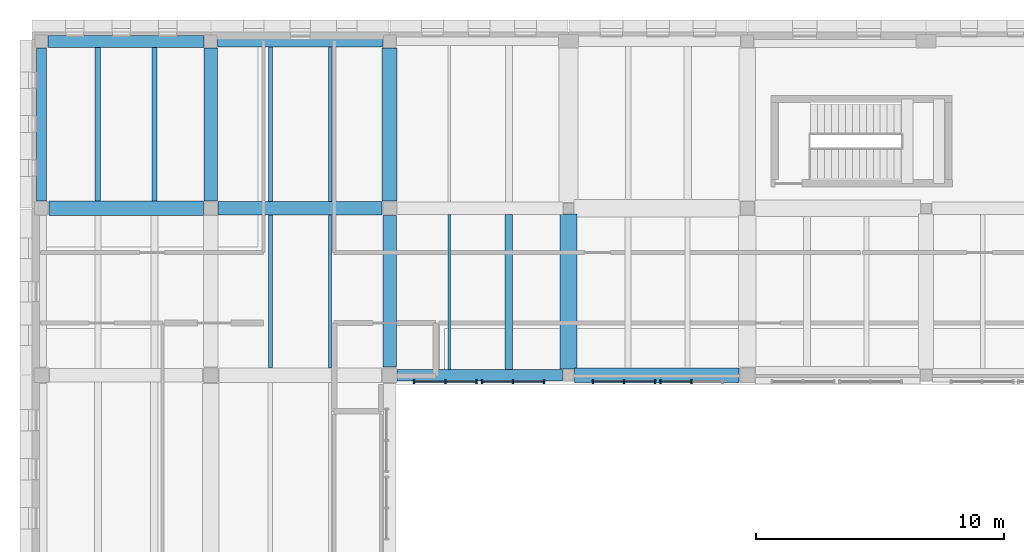
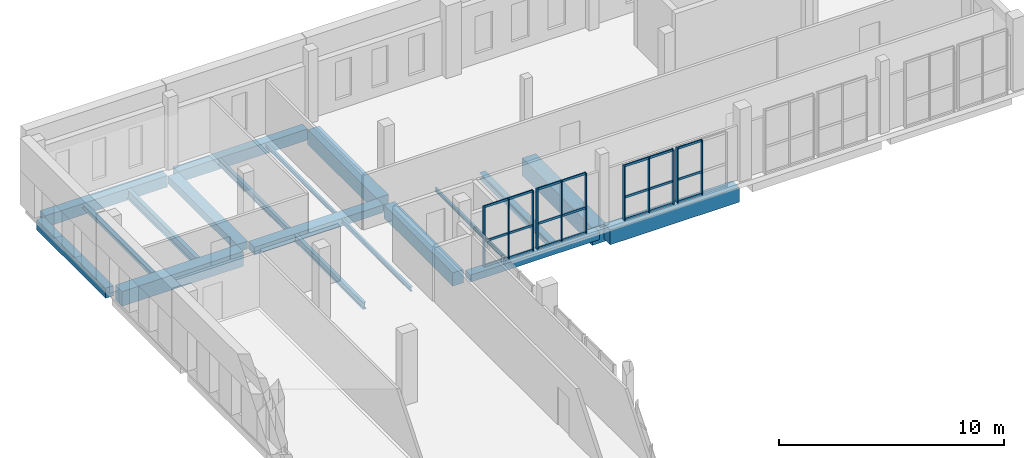
# One storey, part 17 of 56: 32 members, 19 beams, 4 elements without a shape of their own.
"""IFC4 building model written with IfcOpenShell, lengths in metres."""

from ifc_helpers import new_model, si_unit, direction, frame, origin, origin_2d, place, context, subcontext, project, spatial, rectangle, i_section, extrude, material, layer, layer_set, material_profile, profile_set, type_object, element, aggregate, save


model = new_model("IFC4")

# Units and contexts
model_context = context("Model", 3, precision=1e-05, world=origin(), true_north=direction((0.0, 1.0)))
body_context = subcontext(model_context, "Body", "Model", "MODEL_VIEW")
ifc_project = project(units=[si_unit("LENGTHUNIT", "METRE"), si_unit("AREAUNIT", "SQUARE_METRE"), si_unit("VOLUMEUNIT", "CUBIC_METRE"), si_unit("PLANEANGLEUNIT", "RADIAN"), si_unit("MASSUNIT", "GRAM", prefix="KILO")], contexts=[model_context])

# Site, building, storey
site_placement = place(None, origin())
site = spatial("IfcSite", under=ifc_project, at=site_placement, CompositionType="ELEMENT")
building_placement = place(site_placement, origin())
building = spatial("IfcBuilding", under=site, at=building_placement, Name="Vardoun Plaza Health Centre", CompositionType="ELEMENT")
storey_placement = place(building_placement, frame((0.0, 0.0, 8.699951171875)))
storey = spatial("IfcBuildingStorey", under=building, at=storey_placement, Name="L02", CompositionType="ELEMENT", Elevation=8.699951171875)

# Beams
ifc_material_1 = material(Name="Concrete C35/45", Category="concrete")
ifc_material_profile_1 = material_profile(ifc_material_1, rectangle(XDim=0.39990234375, YDim=0.550048828125, at=origin_2d()), Name="RC-BM 400x550")
ifc_profile_set_1 = profile_set([ifc_material_profile_1], Name="Concrete C35/45")
beam_type_1 = type_object("IfcBeamType", Name="B-09", PredefinedType="SPANDREL", material=ifc_profile_set_1)
beam_1_placement = place(storey_placement, frame((4.8798828125, 108.5, -0.5400390625), z_axis=(0.0, 1.0, 0.0), x_axis=(-1.0, 0.0, 0.0)))
element("IfcBeam", 1, at=beam_1_placement, inside=storey, type_object=beam_type_1, Name="V3 L02 Beam B-V3-L02-Y29", PredefinedType="SPANDREL", context=body_context, shape_type="SweptSolid", body=[
    extrude(rectangle(XDim=0.39990234375, YDim=0.550048828125, at=origin_2d()), origin(), (0.0, 0.0, 1.0), 6.14501953125),
])
ifc_material_2 = material(Name="Concrete C35/45", Category="concrete")
ifc_material_profile_2 = material_profile(ifc_material_2, rectangle(XDim=0.449951171875, YDim=0.3798828125, at=origin_2d()), Name="RC-BM 450x380")
ifc_profile_set_2 = profile_set([ifc_material_profile_2], Name="Concrete C35/45")
beam_type_2 = type_object("IfcBeamType", Name="B-01", PredefinedType="BEAM", material=ifc_profile_set_2)
beam_2_placement = place(storey_placement, frame((19.22509765625, 101.47998046875, -0.454833984375), z_axis=(1.0, 0.0, 0.0), x_axis=(0.0, 1.0, 0.0)))
element("IfcBeam", 2, at=beam_2_placement, inside=storey, type_object=beam_type_2, Name="V3 L02 Beam B-V3-L02-X13", PredefinedType="BEAM", context=body_context, shape_type="SweptSolid", body=[
    extrude(rectangle(XDim=0.449951171875, YDim=0.3798828125, at=origin_2d()), origin(), (0.0, 0.0, 1.0), 6.625),
])
ifc_material_3 = material(Name="Concrete C35/45", Category="concrete")
ifc_material_profile_3 = material_profile(ifc_material_3, rectangle(XDim=0.449951171875, YDim=0.60009765625, at=origin_2d()), Name="RC-BM 450x600")
ifc_profile_set_3 = profile_set([ifc_material_profile_3], Name="Concrete C35/45")
beam_type_3 = type_object("IfcBeamType", Name="B-11", PredefinedType="SPANDREL", material=ifc_profile_set_3)
beam_3_placement = place(storey_placement, frame((11.97509765625, 114.919921875, -0.56494140625), z_axis=(1.0, 0.0, 0.0), x_axis=(0.0, 1.0, 0.0)))
element("IfcBeam", 3, at=beam_3_placement, inside=storey, type_object=beam_type_3, Name="V3 L02 Beam B-V3-L02-X12", PredefinedType="SPANDREL", context=body_context, shape_type="SweptSolid", body=[
    extrude(rectangle(XDim=0.449951171875, YDim=0.60009765625, at=origin_2d()), origin(), (0.0, 0.0, 1.0), 6.64990234375),
])
ifc_material_4 = material(Name="Concrete C35/45", Category="concrete")
ifc_material_profile_4 = material_profile(ifc_material_4, rectangle(XDim=0.47998046875, YDim=0.6201171875, at=origin_2d()), Name="RC-BM 480x620")
ifc_profile_set_4 = profile_set([ifc_material_profile_4], Name="Concrete C35/45")
beam_type_4 = type_object("IfcBeamType", Name="B-12", PredefinedType="SPANDREL", material=ifc_profile_set_4)
beam_4_placement = place(storey_placement, frame((5.155029296875, 114.919921875, -0.574951171875), z_axis=(1.0, 0.0, 0.0), x_axis=(0.0, 1.0, 0.0)))
element("IfcBeam", 4, at=beam_4_placement, inside=storey, type_object=beam_type_4, Name="V3 L02 Beam B-V3-L02-X06", PredefinedType="SPANDREL", context=body_context, shape_type="SweptSolid", body=[
    extrude(rectangle(XDim=0.47998046875, YDim=0.6201171875, at=origin_2d()), origin(), (0.0, 0.0, 1.0), 6.27001953125),
])
ifc_material_5 = material(Name="Concrete C35/45", Category="concrete")
ifc_material_profile_5 = material_profile(ifc_material_5, rectangle(XDim=0.550048828125, YDim=0.419921875, at=origin_2d()), Name="RC-BM 550x420")
ifc_profile_set_5 = profile_set([ifc_material_profile_5], Name="Concrete C35/45")
beam_type_5 = type_object("IfcBeamType", Name="B-03", PredefinedType="BEAM", material=ifc_profile_set_5)
beam_5_placement = place(storey_placement, frame((12.0, 108.199951171875, -0.474853515625), z_axis=(1.0, 0.0, 0.0), x_axis=(0.0, 1.0, 0.0)))
element("IfcBeam", 5, at=beam_5_placement, inside=storey, type_object=beam_type_5, Name="V3 L02 Beam B-V3-L02-X11", PredefinedType="BEAM", context=body_context, shape_type="SweptSolid", body=[
    extrude(rectangle(XDim=0.550048828125, YDim=0.419921875, at=origin_2d()), origin(), (0.0, 0.0, 1.0), 6.60009765625),
])
beam_6_placement = place(storey_placement, frame((11.699951171875, 108.5, -0.474853515625), z_axis=(0.0, 1.0, 0.0), x_axis=(-1.0, 0.0, 0.0)))
element("IfcBeam", 6, at=beam_6_placement, inside=storey, type_object=beam_type_5, Name="V3 L02 Beam B-V3-L02-Y33", PredefinedType="BEAM", context=body_context, shape_type="SweptSolid", body=[
    extrude(rectangle(XDim=0.550048828125, YDim=0.419921875, at=origin_2d()), origin(), (0.0, 0.0, 1.0), 6.14501953125),
])
ifc_material_6 = material(Name="Concrete C40/50", Category="concrete")
ifc_material_profile_6 = material_profile(ifc_material_6, rectangle(XDim=0.550048828125, YDim=0.719970703125, at=origin_2d()), Name="RC-BM 550x720")
ifc_profile_set_6 = profile_set([ifc_material_profile_6], Name="Concrete C40/50")
beam_type_6 = type_object("IfcBeamType", Name="B-14", PredefinedType="BEAM", material=ifc_profile_set_6)
beam_7_placement = place(storey_placement, frame((18.89990234375, 101.804931640625, -0.625), z_axis=(0.0, 1.0, 0.0), x_axis=(-1.0, 0.0, 0.0)))
element("IfcBeam", 7, at=beam_7_placement, inside=storey, type_object=beam_type_6, Name="V3 L02 Beam B-V3-L02-Y37", PredefinedType="BEAM", context=body_context, shape_type="SweptSolid", body=[
    extrude(rectangle(XDim=0.550048828125, YDim=0.719970703125, at=origin_2d()), origin(), (0.0, 0.0, 1.0), 6.09521484375),
])
ifc_material_7 = material(Name="Concrete C40/50", Category="concrete")
ifc_material_profile_7 = material_profile(ifc_material_7, rectangle(XDim=0.60009765625, YDim=0.800048828125, at=origin_2d()), Name="RC-BM 600x800")
ifc_profile_set_7 = profile_set([ifc_material_profile_7], Name="Concrete C40/50")
beam_type_7 = type_object("IfcBeamType", Name="B-15", PredefinedType="JOIST", material=ifc_profile_set_7)
beam_8_placement = place(storey_placement, frame((5.179931640625, 108.199951171875, -0.6650390625), z_axis=(1.0, 0.0, 0.0), x_axis=(0.0, 1.0, 0.0)))
element("IfcBeam", 8, at=beam_8_placement, inside=storey, type_object=beam_type_7, Name="V3 L02 Beam B-V3-L02-X05", PredefinedType="JOIST", context=body_context, shape_type="SweptSolid", body=[
    extrude(rectangle(XDim=0.60009765625, YDim=0.800048828125, at=origin_2d()), origin(), (0.0, 0.0, 1.0), 6.219970703125),
])
beam_9_placement = place(storey_placement, frame((26.35009765625, 101.47998046875, -0.6650390625), z_axis=(1.0, 0.0, 0.0), x_axis=(0.0, 1.0, 0.0)))
element("IfcBeam", 9, at=beam_9_placement, inside=storey, type_object=beam_type_7, Name="V3 L02 Beam B-V3-L02-X16", PredefinedType="JOIST", context=body_context, shape_type="SweptSolid", body=[
    extrude(rectangle(XDim=0.60009765625, YDim=0.800048828125, at=origin_2d()), origin(), (0.0, 0.0, 1.0), 6.625),
])
beam_10_placement = place(storey_placement, frame((18.89990234375, 108.5, -0.6650390625), z_axis=(0.0, 1.0, 0.0), x_axis=(-1.0, 0.0, 0.0)))
element("IfcBeam", 10, at=beam_10_placement, inside=storey, type_object=beam_type_7, Name="V3 L02 Beam B-V3-L02-Y38", PredefinedType="JOIST", context=body_context, shape_type="SweptSolid", body=[
    extrude(rectangle(XDim=0.60009765625, YDim=0.800048828125, at=origin_2d()), origin(), (0.0, 0.0, 1.0), 6.14501953125),
])
ifc_material_8 = material(Name="Concrete C40/50", Category="concrete")
ifc_material_profile_8 = material_profile(ifc_material_8, rectangle(XDim=0.699951171875, YDim=0.949951171875, at=origin_2d()), Name="RC-BM 700x950")
ifc_profile_set_8 = profile_set([ifc_material_profile_8], Name="Concrete C40/50")
beam_type_8 = type_object("IfcBeamType", Name="B-16", PredefinedType="LINTEL", material=ifc_profile_set_8)
beam_11_placement = place(storey_placement, frame((26.10009765625, 101.72998046875, -0.739990234375), z_axis=(0.0, 1.0, 0.0), x_axis=(-1.0, 0.0, 0.0)))
element("IfcBeam", 11, at=beam_11_placement, inside=storey, type_object=beam_type_8, Name="V3 L02 Beam B-V3-L02-Y39", PredefinedType="LINTEL", context=body_context, shape_type="SweptSolid", body=[
    extrude(rectangle(XDim=0.699951171875, YDim=0.949951171875, at=origin_2d()), origin(), (0.0, 0.0, 1.0), 6.2451171875),
])
ifc_material_9 = material(Name="Steel S355J2", Category="steel")
ifc_material_profile_9 = material_profile(ifc_material_9, i_section(OverallWidth=0.219970703125, OverallDepth=0.2099609375, WebThickness=0.007080078125, FlangeThickness=0.010986328125, FilletRadius=0.01806640625, at=origin_2d()), Name="HEA 220")
ifc_profile_set_9 = profile_set([ifc_material_profile_9], Name="Steel S355J2")
beam_type_9 = type_object("IfcBeamType", Name="SB-08", PredefinedType="BEAM", material=ifc_profile_set_9)
beam_12_placement = place(storey_placement, frame((7.153076171875, 108.5, -0.369873046875), z_axis=(0.0, 1.0, 0.0), x_axis=(-1.0, 0.0, 0.0)))
element("IfcBeam", 12, at=beam_12_placement, inside=storey, type_object=beam_type_9, Name="V3 L02 Secondary Floor Beam SJ-V3-L02-04", PredefinedType="BEAM", context=body_context, shape_type="SweptSolid", body=[
    extrude(i_section(OverallWidth=0.219970703125, OverallDepth=0.2099609375, WebThickness=0.007080078125, FlangeThickness=0.010986328125, FilletRadius=0.01806640625, at=origin_2d()), origin(), (0.0, 0.0, 1.0), 6.179931640625),
])
ifc_material_10 = material(Name="Steel S355J2", Category="steel")
ifc_material_profile_10 = material_profile(ifc_material_10, i_section(OverallWidth=0.300048828125, OverallDepth=0.330078125, WebThickness=0.009521484375, FlangeThickness=0.0166015625, FilletRadius=0.027099609375, at=origin_2d()), Name="HEA 340")
ifc_profile_set_10 = profile_set([ifc_material_profile_10], Name="Steel S355J2")
beam_type_10 = type_object("IfcBeamType", Name="SB-04", PredefinedType="BEAM", material=ifc_profile_set_10)
beam_13_placement = place(storey_placement, frame((23.7001953125, 101.705078125, -0.429931640625), z_axis=(0.0, 1.0, 0.0), x_axis=(-1.0, 0.0, 0.0)))
element("IfcBeam", 13, at=beam_13_placement, inside=storey, type_object=beam_type_10, Name="V3 L02 Secondary Floor Beam SJ-V3-L02-19", PredefinedType="BEAM", context=body_context, shape_type="SweptSolid", body=[
    extrude(i_section(OverallWidth=0.300048828125, OverallDepth=0.330078125, WebThickness=0.009521484375, FlangeThickness=0.0166015625, FilletRadius=0.027099609375, at=origin_2d()), origin(), (0.0, 0.0, 1.0), 6.244873046875),
])
ifc_material_11 = material(Name="Steel S355J2", Category="steel")
ifc_material_profile_11 = material_profile(ifc_material_11, i_section(OverallWidth=0.10009765625, OverallDepth=0.199951171875, WebThickness=0.005615234375, FlangeThickness=0.008544921875, FilletRadius=0.011962890625, at=origin_2d()), Name="IPE 200")
ifc_profile_set_11 = profile_set([ifc_material_profile_11], Name="Steel S355J2")
beam_type_11 = type_object("IfcBeamType", Name="SB-19", PredefinedType="SPANDREL", material=ifc_profile_set_11)
beam_14_placement = place(storey_placement, frame((21.2998046875, 101.705078125, -0.364990234375), z_axis=(0.0, 1.0, 0.0), x_axis=(-1.0, 0.0, 0.0)))
element("IfcBeam", 14, at=beam_14_placement, inside=storey, type_object=beam_type_11, Name="V3 L02 Secondary Floor Beam SJ-V3-L02-17", PredefinedType="SPANDREL", context=body_context, shape_type="SweptSolid", body=[
    extrude(i_section(OverallWidth=0.10009765625, OverallDepth=0.199951171875, WebThickness=0.005615234375, FlangeThickness=0.008544921875, FilletRadius=0.011962890625, at=origin_2d()), origin(), (0.0, 0.0, 1.0), 6.244873046875),
])
ifc_material_12 = material(Name="Steel S355J2", Category="steel")
ifc_material_profile_12 = material_profile(ifc_material_12, i_section(OverallWidth=0.110107421875, OverallDepth=0.219970703125, WebThickness=0.005859375, FlangeThickness=0.00927734375, FilletRadius=0.011962890625, at=origin_2d()), Name="IPE 220")
ifc_profile_set_12 = profile_set([ifc_material_profile_12], Name="Steel S355J2")
beam_type_12 = type_object("IfcBeamType", Name="SB-18", PredefinedType="JOIST", material=ifc_profile_set_12)
beam_15_placement = place(storey_placement, frame((16.500244140625, 108.47509765625, -0.375), z_axis=(0.0, 1.0, 0.0), x_axis=(-1.0, 0.0, 0.0)))
element("IfcBeam", 15, at=beam_15_placement, inside=storey, type_object=beam_type_12, Name="V3 L02 Secondary Floor Beam SJ-V3-L02-16", PredefinedType="JOIST", context=body_context, shape_type="SweptSolid", body=[
    extrude(i_section(OverallWidth=0.110107421875, OverallDepth=0.219970703125, WebThickness=0.005859375, FlangeThickness=0.00927734375, FilletRadius=0.011962890625, at=origin_2d()), origin(), (0.0, 0.0, 1.0), 6.219970703125),
])
ifc_material_13 = material(Name="Steel S355J2", Category="steel")
ifc_material_profile_13 = material_profile(ifc_material_13, i_section(OverallWidth=0.1201171875, OverallDepth=0.239990234375, WebThickness=0.006103515625, FlangeThickness=0.009765625, FilletRadius=0.014892578125, at=origin_2d()), Name="IPE 240")
ifc_profile_set_13 = profile_set([ifc_material_profile_13], Name="Steel S355J2")
beam_type_13 = type_object("IfcBeamType", Name="SB-17", PredefinedType="JOIST", material=ifc_profile_set_13)
beam_16_placement = place(storey_placement, frame((16.500244140625, 101.780029296875, -0.385009765625), z_axis=(0.0, 1.0, 0.0), x_axis=(-1.0, 0.0, 0.0)))
element("IfcBeam", 16, at=beam_16_placement, inside=storey, type_object=beam_type_13, Name="V3 L02 Secondary Floor Beam SJ-V3-L02-15", PredefinedType="JOIST", context=body_context, shape_type="SweptSolid", body=[
    extrude(i_section(OverallWidth=0.1201171875, OverallDepth=0.239990234375, WebThickness=0.006103515625, FlangeThickness=0.009765625, FilletRadius=0.014892578125, at=origin_2d()), origin(), (0.0, 0.0, 1.0), 6.14501953125),
])
ifc_material_14 = material(Name="Steel S355J2", Category="steel")
ifc_material_profile_14 = material_profile(ifc_material_14, i_section(OverallWidth=0.159912109375, OverallDepth=0.330078125, WebThickness=0.007568359375, FlangeThickness=0.011474609375, FilletRadius=0.01806640625, at=origin_2d()), Name="IPE 330")
ifc_profile_set_14 = profile_set([ifc_material_profile_14], Name="Steel S355J2")
beam_type_14 = type_object("IfcBeamType", Name="SB-14", PredefinedType="JOIST", material=ifc_profile_set_14)
beam_17_placement = place(storey_placement, frame((14.099853515625, 108.47509765625, -0.429931640625), z_axis=(0.0, 1.0, 0.0), x_axis=(-1.0, 0.0, 0.0)))
element("IfcBeam", 17, at=beam_17_placement, inside=storey, type_object=beam_type_14, Name="V3 L02 Secondary Floor Beam SJ-V3-L02-12", PredefinedType="JOIST", context=body_context, shape_type="SweptSolid", body=[
    extrude(i_section(OverallWidth=0.159912109375, OverallDepth=0.330078125, WebThickness=0.007568359375, FlangeThickness=0.011474609375, FilletRadius=0.01806640625, at=origin_2d()), origin(), (0.0, 0.0, 1.0), 6.219970703125),
])
ifc_material_15 = material(Name="Steel S355J2", Category="steel")
ifc_material_profile_15 = material_profile(ifc_material_15, i_section(OverallWidth=0.169921875, OverallDepth=0.360107421875, WebThickness=0.008056640625, FlangeThickness=0.0126953125, FilletRadius=0.01806640625, at=origin_2d()), Name="IPE 360")
ifc_profile_set_15 = profile_set([ifc_material_profile_15], Name="Steel S355J2")
beam_type_15 = type_object("IfcBeamType", Name="SB-13", PredefinedType="JOIST", material=ifc_profile_set_15)
beam_18_placement = place(storey_placement, frame((14.099853515625, 101.780029296875, -0.445068359375), z_axis=(0.0, 1.0, 0.0), x_axis=(-1.0, 0.0, 0.0)))
element("IfcBeam", 18, at=beam_18_placement, inside=storey, type_object=beam_type_15, Name="V3 L02 Secondary Floor Beam SJ-V3-L02-11", PredefinedType="JOIST", context=body_context, shape_type="SweptSolid", body=[
    extrude(i_section(OverallWidth=0.169921875, OverallDepth=0.360107421875, WebThickness=0.008056640625, FlangeThickness=0.0126953125, FilletRadius=0.01806640625, at=origin_2d()), origin(), (0.0, 0.0, 1.0), 6.14501953125),
])
ifc_material_16 = material(Name="Steel S355J2", Category="steel")
ifc_material_profile_16 = material_profile(ifc_material_16, i_section(OverallWidth=0.199951171875, OverallDepth=0.5, WebThickness=0.01025390625, FlangeThickness=0.01611328125, FilletRadius=0.02099609375, at=origin_2d()), Name="IPE 500")
ifc_profile_set_16 = profile_set([ifc_material_profile_16], Name="Steel S355J2")
beam_type_16 = type_object("IfcBeamType", Name="SB-10", PredefinedType="BEAM", material=ifc_profile_set_16)
beam_19_placement = place(storey_placement, frame((9.427001953125, 108.5, -0.514892578125), z_axis=(0.0, 1.0, 0.0), x_axis=(-1.0, 0.0, 0.0)))
element("IfcBeam", 19, at=beam_19_placement, inside=storey, type_object=beam_type_16, Name="V3 L02 Secondary Floor Beam SJ-V3-L02-08", PredefinedType="BEAM", context=body_context, shape_type="SweptSolid", body=[
    extrude(i_section(OverallWidth=0.199951171875, OverallDepth=0.5, WebThickness=0.01025390625, FlangeThickness=0.01611328125, FilletRadius=0.02099609375, at=origin_2d()), origin(), (0.0, 0.0, 1.0), 6.179931640625),
])

# Curtain wall, members
ifc_material_17 = material(Name="Aluminium Alloy EN AW-6063-T6 and Low-E Glass", Category="aluminium")
ifc_layer = layer(ifc_material_17, 0.159912109375)
ifc_layer_set = layer_set([ifc_layer], Name="Aluminium Alloy EN AW-6063-T6 and Low-E Glass")
curtain_wall_type = type_object("IfcCurtainWallType", Name="CW-02", PredefinedType="USERDEFINED", material=ifc_layer_set)
curtain_wall_1_placement = place(storey_placement, origin())
curtain_wall_1 = element("IfcCurtainWall", 20, at=curtain_wall_1_placement, inside=storey, type_object=curtain_wall_type, Name="Curtain Wall CW-V3-077", ObjectType="COURTYARD_CURTAIN_WALL", PredefinedType="USERDEFINED")
ifc_material_18 = material(Name="Aluminium Alloy EN AW-6063-T6", Category="aluminium")
ifc_material_profile_17 = material_profile(ifc_material_18, rectangle(XDim=0.159912109375, YDim=0.06005859375, at=origin_2d()), Name="CWM 60x160")
ifc_profile_set_17 = profile_set([ifc_material_profile_17], Name="Aluminium Alloy EN AW-6063-T6")
member_type_1 = type_object("IfcMemberType", Name="CW-M1", PredefinedType="MULLION", material=ifc_profile_set_17)
member_1_placement = place(storey_placement, frame((31.06005859375, 101.219970703125, 0.0), z_axis=(0.0, 0.0, 1.0), x_axis=(0.0, -1.0, 0.0)))
member_1 = element("IfcMember", 21, at=member_1_placement, type_object=member_type_1, Name="CW-V3-077 mullion 2", PredefinedType="MULLION", context=body_context, shape_type="SweptSolid", body=[
    extrude(rectangle(XDim=0.159912109375, YDim=0.06005859375, at=origin_2d()), origin(), (0.0, 0.0, 1.0), 2.969970703125),
])
member_2_placement = place(storey_placement, frame((29.81005859375, 101.219970703125, 0.0), z_axis=(0.0, 0.0, 1.0), x_axis=(0.0, -1.0, 0.0)))
member_2 = element("IfcMember", 22, at=member_2_placement, type_object=member_type_1, Name="CW-V3-077 mullion 3", PredefinedType="MULLION", context=body_context, shape_type="SweptSolid", body=[
    extrude(rectangle(XDim=0.159912109375, YDim=0.06005859375, at=origin_2d()), origin(), (0.0, 0.0, 1.0), 2.969970703125),
])

curtain_wall_2_placement = place(storey_placement, origin())
curtain_wall_2 = element("IfcCurtainWall", 23, at=curtain_wall_2_placement, inside=storey, type_object=curtain_wall_type, Name="Curtain Wall CW-V3-078", ObjectType="COURTYARD_CURTAIN_WALL", PredefinedType="USERDEFINED")
member_3_placement = place(storey_placement, frame((29.590087890625, 101.219970703125, 0.0), z_axis=(0.0, 0.0, 1.0), x_axis=(0.0, -1.0, 0.0)))
member_3 = element("IfcMember", 24, at=member_3_placement, type_object=member_type_1, Name="CW-V3-078 mullion 1", PredefinedType="MULLION", context=body_context, shape_type="SweptSolid", body=[
    extrude(rectangle(XDim=0.159912109375, YDim=0.06005859375, at=origin_2d()), origin(), (0.0, 0.0, 1.0), 2.969970703125),
])
member_4_placement = place(storey_placement, frame((28.340087890625, 101.219970703125, 0.0), z_axis=(0.0, 0.0, 1.0), x_axis=(0.0, -1.0, 0.0)))
member_4 = element("IfcMember", 25, at=member_4_placement, type_object=member_type_1, Name="CW-V3-078 mullion 2", PredefinedType="MULLION", context=body_context, shape_type="SweptSolid", body=[
    extrude(rectangle(XDim=0.159912109375, YDim=0.06005859375, at=origin_2d()), origin(), (0.0, 0.0, 1.0), 2.969970703125),
])
member_5_placement = place(storey_placement, frame((27.090087890625, 101.219970703125, 0.0), z_axis=(0.0, 0.0, 1.0), x_axis=(0.0, -1.0, 0.0)))
member_5 = element("IfcMember", 26, at=member_5_placement, type_object=member_type_1, Name="CW-V3-078 mullion 3", PredefinedType="MULLION", context=body_context, shape_type="SweptSolid", body=[
    extrude(rectangle(XDim=0.159912109375, YDim=0.06005859375, at=origin_2d()), origin(), (0.0, 0.0, 1.0), 2.969970703125),
])

curtain_wall_3_placement = place(storey_placement, origin())
curtain_wall_3 = element("IfcCurtainWall", 27, at=curtain_wall_3_placement, inside=storey, type_object=curtain_wall_type, Name="Curtain Wall CW-V3-079", ObjectType="COURTYARD_CURTAIN_WALL", PredefinedType="USERDEFINED")
member_6_placement = place(storey_placement, frame((25.110107421875, 101.219970703125, 0.0), z_axis=(0.0, 0.0, 1.0), x_axis=(0.0, -1.0, 0.0)))
member_6 = element("IfcMember", 28, at=member_6_placement, type_object=member_type_1, Name="CW-V3-079 mullion 1", PredefinedType="MULLION", context=body_context, shape_type="SweptSolid", body=[
    extrude(rectangle(XDim=0.159912109375, YDim=0.06005859375, at=origin_2d()), origin(), (0.0, 0.0, 1.0), 3.27001953125),
])
member_7_placement = place(storey_placement, frame((23.860107421875, 101.219970703125, 0.0), z_axis=(0.0, 0.0, 1.0), x_axis=(0.0, -1.0, 0.0)))
member_7 = element("IfcMember", 29, at=member_7_placement, type_object=member_type_1, Name="CW-V3-079 mullion 2", PredefinedType="MULLION", context=body_context, shape_type="SweptSolid", body=[
    extrude(rectangle(XDim=0.159912109375, YDim=0.06005859375, at=origin_2d()), origin(), (0.0, 0.0, 1.0), 3.27001953125),
])
member_8_placement = place(storey_placement, frame((22.610107421875, 101.219970703125, 0.0), z_axis=(0.0, 0.0, 1.0), x_axis=(0.0, -1.0, 0.0)))
member_8 = element("IfcMember", 30, at=member_8_placement, type_object=member_type_1, Name="CW-V3-079 mullion 3", PredefinedType="MULLION", context=body_context, shape_type="SweptSolid", body=[
    extrude(rectangle(XDim=0.159912109375, YDim=0.06005859375, at=origin_2d()), origin(), (0.0, 0.0, 1.0), 3.27001953125),
])

curtain_wall_4_placement = place(storey_placement, origin())
curtain_wall_4 = element("IfcCurtainWall", 31, at=curtain_wall_4_placement, inside=storey, type_object=curtain_wall_type, Name="Curtain Wall CW-V3-080", ObjectType="COURTYARD_CURTAIN_WALL", PredefinedType="USERDEFINED")
member_9_placement = place(storey_placement, frame((22.389892578125, 101.219970703125, 0.0), z_axis=(0.0, 0.0, 1.0), x_axis=(0.0, -1.0, 0.0)))
member_9 = element("IfcMember", 32, at=member_9_placement, type_object=member_type_1, Name="CW-V3-080 mullion 1", PredefinedType="MULLION", context=body_context, shape_type="SweptSolid", body=[
    extrude(rectangle(XDim=0.159912109375, YDim=0.06005859375, at=origin_2d()), origin(), (0.0, 0.0, 1.0), 3.27001953125),
])
member_10_placement = place(storey_placement, frame((21.139892578125, 101.219970703125, 0.0), z_axis=(0.0, 0.0, 1.0), x_axis=(0.0, -1.0, 0.0)))
member_10 = element("IfcMember", 33, at=member_10_placement, type_object=member_type_1, Name="CW-V3-080 mullion 2", PredefinedType="MULLION", context=body_context, shape_type="SweptSolid", body=[
    extrude(rectangle(XDim=0.159912109375, YDim=0.06005859375, at=origin_2d()), origin(), (0.0, 0.0, 1.0), 3.27001953125),
])
member_11_placement = place(storey_placement, frame((19.889892578125, 101.219970703125, 0.0), z_axis=(0.0, 0.0, 1.0), x_axis=(0.0, -1.0, 0.0)))
member_11 = element("IfcMember", 34, at=member_11_placement, type_object=member_type_1, Name="CW-V3-080 mullion 3", PredefinedType="MULLION", context=body_context, shape_type="SweptSolid", body=[
    extrude(rectangle(XDim=0.159912109375, YDim=0.06005859375, at=origin_2d()), origin(), (0.0, 0.0, 1.0), 3.27001953125),
])

# Member
ifc_material_19 = material(Name="Aluminium Alloy EN AW-6063-T6", Category="aluminium")
ifc_material_profile_18 = material_profile(ifc_material_19, rectangle(XDim=0.06005859375, YDim=0.1201171875, at=origin_2d()), Name="CWT 60x120")
ifc_profile_set_18 = profile_set([ifc_material_profile_18], Name="Aluminium Alloy EN AW-6063-T6")
member_type_2 = type_object("IfcMemberType", Name="CW-T1", PredefinedType="USERDEFINED", material=ifc_profile_set_18)
member_12_placement = place(storey_placement, frame((31.030029296875, 101.219970703125, 0.030029296875), z_axis=(-1.0, 0.0, 0.0), x_axis=(0.0, -1.0, 0.0)))
member_12 = element("IfcMember", 35, at=member_12_placement, type_object=member_type_2, Name="CW-V3-077 transom 2.1", ObjectType="TRANSOM", PredefinedType="USERDEFINED", context=body_context, shape_type="SweptSolid", body=[
    extrude(rectangle(XDim=0.06005859375, YDim=0.1201171875, at=origin_2d()), origin(), (0.0, 0.0, 1.0), 1.18994140625),
])

member_13_placement = place(storey_placement, frame((31.030029296875, 101.219970703125, 1.24755859375), z_axis=(-1.0, 0.0, 0.0), x_axis=(0.0, -1.0, 0.0)))
member_13 = element("IfcMember", 36, at=member_13_placement, type_object=member_type_2, Name="CW-V3-077 transom 2.2", ObjectType="TRANSOM", PredefinedType="USERDEFINED", context=body_context, shape_type="SweptSolid", body=[
    extrude(rectangle(XDim=0.06005859375, YDim=0.1201171875, at=origin_2d()), origin(), (0.0, 0.0, 1.0), 1.18994140625),
])

member_14_placement = place(storey_placement, frame((31.030029296875, 101.219970703125, 2.93994140625), z_axis=(-1.0, 0.0, 0.0), x_axis=(0.0, -1.0, 0.0)))
member_14 = element("IfcMember", 37, at=member_14_placement, type_object=member_type_2, Name="CW-V3-077 transom 2.3", ObjectType="TRANSOM", PredefinedType="USERDEFINED", context=body_context, shape_type="SweptSolid", body=[
    extrude(rectangle(XDim=0.06005859375, YDim=0.1201171875, at=origin_2d()), origin(), (0.0, 0.0, 1.0), 1.18994140625),
])

aggregate(curtain_wall_1, [member_1, member_2, member_12, member_13, member_14])

member_15_placement = place(storey_placement, frame((29.56005859375, 101.219970703125, 0.030029296875), z_axis=(-1.0, 0.0, 0.0), x_axis=(0.0, -1.0, 0.0)))
member_15 = element("IfcMember", 38, at=member_15_placement, type_object=member_type_2, Name="CW-V3-078 transom 1.1", ObjectType="TRANSOM", PredefinedType="USERDEFINED", context=body_context, shape_type="SweptSolid", body=[
    extrude(rectangle(XDim=0.06005859375, YDim=0.1201171875, at=origin_2d()), origin(), (0.0, 0.0, 1.0), 1.18994140625),
])

member_16_placement = place(storey_placement, frame((29.56005859375, 101.219970703125, 1.24755859375), z_axis=(-1.0, 0.0, 0.0), x_axis=(0.0, -1.0, 0.0)))
member_16 = element("IfcMember", 39, at=member_16_placement, type_object=member_type_2, Name="CW-V3-078 transom 1.2", ObjectType="TRANSOM", PredefinedType="USERDEFINED", context=body_context, shape_type="SweptSolid", body=[
    extrude(rectangle(XDim=0.06005859375, YDim=0.1201171875, at=origin_2d()), origin(), (0.0, 0.0, 1.0), 1.18994140625),
])

member_17_placement = place(storey_placement, frame((29.56005859375, 101.219970703125, 2.93994140625), z_axis=(-1.0, 0.0, 0.0), x_axis=(0.0, -1.0, 0.0)))
member_17 = element("IfcMember", 40, at=member_17_placement, type_object=member_type_2, Name="CW-V3-078 transom 1.3", ObjectType="TRANSOM", PredefinedType="USERDEFINED", context=body_context, shape_type="SweptSolid", body=[
    extrude(rectangle(XDim=0.06005859375, YDim=0.1201171875, at=origin_2d()), origin(), (0.0, 0.0, 1.0), 1.18994140625),
])

member_18_placement = place(storey_placement, frame((28.31005859375, 101.219970703125, 0.030029296875), z_axis=(-1.0, 0.0, 0.0), x_axis=(0.0, -1.0, 0.0)))
member_18 = element("IfcMember", 41, at=member_18_placement, type_object=member_type_2, Name="CW-V3-078 transom 2.1", ObjectType="TRANSOM", PredefinedType="USERDEFINED", context=body_context, shape_type="SweptSolid", body=[
    extrude(rectangle(XDim=0.06005859375, YDim=0.1201171875, at=origin_2d()), origin(), (0.0, 0.0, 1.0), 1.18994140625),
])

member_19_placement = place(storey_placement, frame((28.31005859375, 101.219970703125, 1.24755859375), z_axis=(-1.0, 0.0, 0.0), x_axis=(0.0, -1.0, 0.0)))
member_19 = element("IfcMember", 42, at=member_19_placement, type_object=member_type_2, Name="CW-V3-078 transom 2.2", ObjectType="TRANSOM", PredefinedType="USERDEFINED", context=body_context, shape_type="SweptSolid", body=[
    extrude(rectangle(XDim=0.06005859375, YDim=0.1201171875, at=origin_2d()), origin(), (0.0, 0.0, 1.0), 1.18994140625),
])

member_20_placement = place(storey_placement, frame((28.31005859375, 101.219970703125, 2.93994140625), z_axis=(-1.0, 0.0, 0.0), x_axis=(0.0, -1.0, 0.0)))
member_20 = element("IfcMember", 43, at=member_20_placement, type_object=member_type_2, Name="CW-V3-078 transom 2.3", ObjectType="TRANSOM", PredefinedType="USERDEFINED", context=body_context, shape_type="SweptSolid", body=[
    extrude(rectangle(XDim=0.06005859375, YDim=0.1201171875, at=origin_2d()), origin(), (0.0, 0.0, 1.0), 1.18994140625),
])

aggregate(curtain_wall_2, [member_3, member_4, member_5, member_15, member_16, member_17, member_18, member_19, member_20])

member_21_placement = place(storey_placement, frame((25.080078125, 101.219970703125, 0.030029296875), z_axis=(-1.0, 0.0, 0.0), x_axis=(0.0, -1.0, 0.0)))
member_21 = element("IfcMember", 44, at=member_21_placement, type_object=member_type_2, Name="CW-V3-079 transom 1.1", ObjectType="TRANSOM", PredefinedType="USERDEFINED", context=body_context, shape_type="SweptSolid", body=[
    extrude(rectangle(XDim=0.06005859375, YDim=0.1201171875, at=origin_2d()), origin(), (0.0, 0.0, 1.0), 1.190185546875),
])

member_22_placement = place(storey_placement, frame((25.080078125, 101.219970703125, 1.37353515625), z_axis=(-1.0, 0.0, 0.0), x_axis=(0.0, -1.0, 0.0)))
member_22 = element("IfcMember", 45, at=member_22_placement, type_object=member_type_2, Name="CW-V3-079 transom 1.2", ObjectType="TRANSOM", PredefinedType="USERDEFINED", context=body_context, shape_type="SweptSolid", body=[
    extrude(rectangle(XDim=0.06005859375, YDim=0.1201171875, at=origin_2d()), origin(), (0.0, 0.0, 1.0), 1.190185546875),
])

member_23_placement = place(storey_placement, frame((25.080078125, 101.219970703125, 3.239990234375), z_axis=(-1.0, 0.0, 0.0), x_axis=(0.0, -1.0, 0.0)))
member_23 = element("IfcMember", 46, at=member_23_placement, type_object=member_type_2, Name="CW-V3-079 transom 1.3", ObjectType="TRANSOM", PredefinedType="USERDEFINED", context=body_context, shape_type="SweptSolid", body=[
    extrude(rectangle(XDim=0.06005859375, YDim=0.1201171875, at=origin_2d()), origin(), (0.0, 0.0, 1.0), 1.190185546875),
])

member_24_placement = place(storey_placement, frame((23.830078125, 101.219970703125, 0.030029296875), z_axis=(-1.0, 0.0, 0.0), x_axis=(0.0, -1.0, 0.0)))
member_24 = element("IfcMember", 47, at=member_24_placement, type_object=member_type_2, Name="CW-V3-079 transom 2.1", ObjectType="TRANSOM", PredefinedType="USERDEFINED", context=body_context, shape_type="SweptSolid", body=[
    extrude(rectangle(XDim=0.06005859375, YDim=0.1201171875, at=origin_2d()), origin(), (0.0, 0.0, 1.0), 1.190185546875),
])

member_25_placement = place(storey_placement, frame((23.830078125, 101.219970703125, 1.37353515625), z_axis=(-1.0, 0.0, 0.0), x_axis=(0.0, -1.0, 0.0)))
member_25 = element("IfcMember", 48, at=member_25_placement, type_object=member_type_2, Name="CW-V3-079 transom 2.2", ObjectType="TRANSOM", PredefinedType="USERDEFINED", context=body_context, shape_type="SweptSolid", body=[
    extrude(rectangle(XDim=0.06005859375, YDim=0.1201171875, at=origin_2d()), origin(), (0.0, 0.0, 1.0), 1.190185546875),
])

member_26_placement = place(storey_placement, frame((23.830078125, 101.219970703125, 3.239990234375), z_axis=(-1.0, 0.0, 0.0), x_axis=(0.0, -1.0, 0.0)))
member_26 = element("IfcMember", 49, at=member_26_placement, type_object=member_type_2, Name="CW-V3-079 transom 2.3", ObjectType="TRANSOM", PredefinedType="USERDEFINED", context=body_context, shape_type="SweptSolid", body=[
    extrude(rectangle(XDim=0.06005859375, YDim=0.1201171875, at=origin_2d()), origin(), (0.0, 0.0, 1.0), 1.190185546875),
])

aggregate(curtain_wall_3, [member_6, member_7, member_8, member_21, member_22, member_23, member_24, member_25, member_26])

member_27_placement = place(storey_placement, frame((22.360107421875, 101.219970703125, 0.030029296875), z_axis=(-1.0, 0.0, 0.0), x_axis=(0.0, -1.0, 0.0)))
member_27 = element("IfcMember", 50, at=member_27_placement, type_object=member_type_2, Name="CW-V3-080 transom 1.1", ObjectType="TRANSOM", PredefinedType="USERDEFINED", context=body_context, shape_type="SweptSolid", body=[
    extrude(rectangle(XDim=0.06005859375, YDim=0.1201171875, at=origin_2d()), origin(), (0.0, 0.0, 1.0), 1.190185546875),
])

member_28_placement = place(storey_placement, frame((22.360107421875, 101.219970703125, 1.37353515625), z_axis=(-1.0, 0.0, 0.0), x_axis=(0.0, -1.0, 0.0)))
member_28 = element("IfcMember", 51, at=member_28_placement, type_object=member_type_2, Name="CW-V3-080 transom 1.2", ObjectType="TRANSOM", PredefinedType="USERDEFINED", context=body_context, shape_type="SweptSolid", body=[
    extrude(rectangle(XDim=0.06005859375, YDim=0.1201171875, at=origin_2d()), origin(), (0.0, 0.0, 1.0), 1.190185546875),
])

member_29_placement = place(storey_placement, frame((22.360107421875, 101.219970703125, 3.239990234375), z_axis=(-1.0, 0.0, 0.0), x_axis=(0.0, -1.0, 0.0)))
member_29 = element("IfcMember", 52, at=member_29_placement, type_object=member_type_2, Name="CW-V3-080 transom 1.3", ObjectType="TRANSOM", PredefinedType="USERDEFINED", context=body_context, shape_type="SweptSolid", body=[
    extrude(rectangle(XDim=0.06005859375, YDim=0.1201171875, at=origin_2d()), origin(), (0.0, 0.0, 1.0), 1.190185546875),
])

member_30_placement = place(storey_placement, frame((21.110107421875, 101.219970703125, 0.030029296875), z_axis=(-1.0, 0.0, 0.0), x_axis=(0.0, -1.0, 0.0)))
member_30 = element("IfcMember", 53, at=member_30_placement, type_object=member_type_2, Name="CW-V3-080 transom 2.1", ObjectType="TRANSOM", PredefinedType="USERDEFINED", context=body_context, shape_type="SweptSolid", body=[
    extrude(rectangle(XDim=0.06005859375, YDim=0.1201171875, at=origin_2d()), origin(), (0.0, 0.0, 1.0), 1.190185546875),
])

member_31_placement = place(storey_placement, frame((21.110107421875, 101.219970703125, 1.37353515625), z_axis=(-1.0, 0.0, 0.0), x_axis=(0.0, -1.0, 0.0)))
member_31 = element("IfcMember", 54, at=member_31_placement, type_object=member_type_2, Name="CW-V3-080 transom 2.2", ObjectType="TRANSOM", PredefinedType="USERDEFINED", context=body_context, shape_type="SweptSolid", body=[
    extrude(rectangle(XDim=0.06005859375, YDim=0.1201171875, at=origin_2d()), origin(), (0.0, 0.0, 1.0), 1.190185546875),
])

member_32_placement = place(storey_placement, frame((21.110107421875, 101.219970703125, 3.239990234375), z_axis=(-1.0, 0.0, 0.0), x_axis=(0.0, -1.0, 0.0)))
member_32 = element("IfcMember", 55, at=member_32_placement, type_object=member_type_2, Name="CW-V3-080 transom 2.3", ObjectType="TRANSOM", PredefinedType="USERDEFINED", context=body_context, shape_type="SweptSolid", body=[
    extrude(rectangle(XDim=0.06005859375, YDim=0.1201171875, at=origin_2d()), origin(), (0.0, 0.0, 1.0), 1.190185546875),
])

aggregate(curtain_wall_4, [member_9, member_10, member_11, member_27, member_28, member_29, member_30, member_31, member_32])

save(model, "model.ifc")
